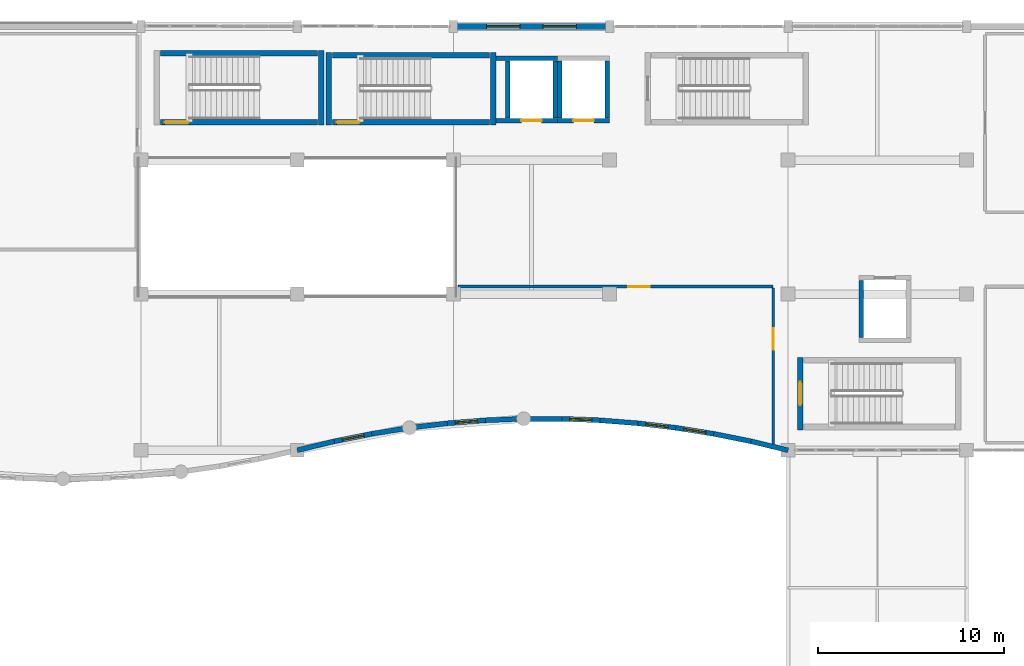
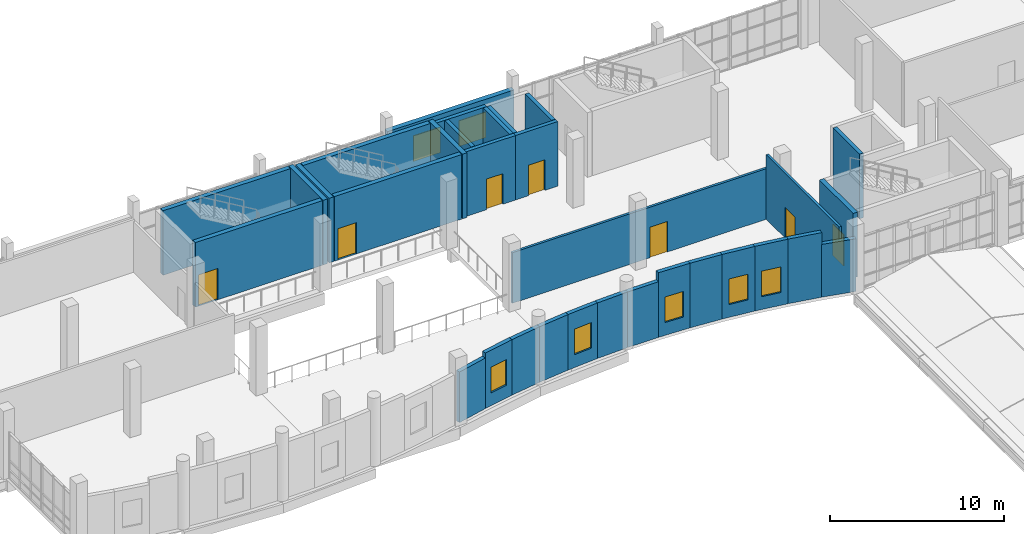
# One storey, part 88 of 106: 32 walls, 7 doors, 7 windows, 14 openings.
"""IFC4 building model written with IfcOpenShell, lengths in metres."""

from ifc_helpers import new_model, si_unit, direction, frame, frame_2d, origin, place, context, subcontext, project, spatial, rectangle, extrude, material, layer, layer_set, type_object, element, fill, save


model = new_model("IFC4")

# Units and contexts
model_context = context("Model", 3, precision=1e-05, world=origin(), true_north=direction((0.0, 1.0)))
body_context = subcontext(model_context, "Body", "Model", "MODEL_VIEW")
ifc_project = project(units=[si_unit("LENGTHUNIT", "METRE"), si_unit("AREAUNIT", "SQUARE_METRE"), si_unit("VOLUMEUNIT", "CUBIC_METRE"), si_unit("PLANEANGLEUNIT", "RADIAN"), si_unit("MASSUNIT", "GRAM", prefix="KILO")], contexts=[model_context])

# Site, building, storey
site_placement = place(None, origin())
site = spatial("IfcSite", under=ifc_project, at=site_placement, CompositionType="ELEMENT")
building_placement = place(site_placement, origin())
building = spatial("IfcBuilding", under=site, at=building_placement, Name="Kisaragi Civic Commons", CompositionType="ELEMENT")
storey_placement = place(building_placement, frame((0.0, 0.0, 4.800048828125)))
storey = spatial("IfcBuildingStorey", under=building, at=storey_placement, Name="L01", CompositionType="ELEMENT", Elevation=4.800048828125)

# Wall, openings, windows
ifc_material_1 = material(Name="Insulated Tokoname terracotta cavity wall", Category="masonry")
ifc_layer_1 = layer(ifc_material_1, 0.320068359375, Name="Insulated Tokoname terracotta cavity wall", Category="masonry")
ifc_layer_set_1 = layer_set([ifc_layer_1], Name="Insulated Tokoname terracotta cavity wall")
wall_type_1 = type_object("IfcWallType", Name="EW-01", PredefinedType="STANDARD", material=ifc_layer_set_1)
wall_1_placement = place(storey_placement, frame((105.60009765625, 118.800048828125, 0.0), z_axis=(0.0, 0.0, 1.0), x_axis=(1.0, 0.0, 0.0)))
wall_1 = element("IfcWall", 1, at=wall_1_placement, inside=storey, type_object=wall_type_1, Name="V4 L01 exterior terracotta wall EW-01 316", PredefinedType="STANDARD", context=body_context, shape_type="SweptSolid", body=[
    extrude(rectangle(XDim=8.39990234375, YDim=0.320068359375, at=frame_2d((4.199951171875, 0.0))), origin(), (0.0, 0.0, 1.0), 3.704833984375),
])
opening_1_placement = place(wall_1_placement, frame((1.7880859375, 0.0, 0.89990234375)))
opening_1 = element("IfcOpeningElement", 2, at=opening_1_placement, cuts=wall_1, Name="Opening W-01", PredefinedType="OPENING", context=body_context, shape_type="SweptSolid", body=[
    extrude(rectangle(XDim=1.800048828125, YDim=1.800048828125, at=frame_2d((0.89990234375, 0.89990234375))), frame((0.0, 0.169921875, 0.0), z_axis=(0.0, -1.0, 0.0), x_axis=(1.0, 0.0, 0.0)), (0.0, 0.0, 1.0), 0.340087890625),
])
opening_2_placement = place(wall_1_placement, frame((4.81201171875, 0.0, 0.89990234375)))
opening_2 = element("IfcOpeningElement", 3, at=opening_2_placement, cuts=wall_1, Name="Opening W-01", PredefinedType="OPENING", context=body_context, shape_type="SweptSolid", body=[
    extrude(rectangle(XDim=1.800048828125, YDim=1.800048828125, at=frame_2d((0.89990234375, 0.89990234375))), frame((0.0, 0.169921875, 0.0), z_axis=(0.0, -1.0, 0.0), x_axis=(1.0, 0.0, 0.0)), (0.0, 0.0, 1.0), 0.340087890625),
])
ifc_material_2 = material(Name="Thermally broken aluminium frame and low-E argon double glazing", Category="aluminium")
window_type_1 = type_object("IfcWindowType", Name="W-01", PartitioningType="SINGLE_PANEL", PredefinedType="WINDOW", material=ifc_material_2)
window_1_placement = place(opening_1_placement, origin())
window_1 = element("IfcWindow", 4, at=window_1_placement, inside=storey, type_object=window_type_1, Name="V4 L01 window W-01 102", OverallHeight=1.800048828125, OverallWidth=1.800048828125, PartitioningType="SINGLE_PANEL", PredefinedType="WINDOW", context=body_context, shape_type="SweptSolid", body=[
    extrude(rectangle(XDim=1.800048828125, YDim=1.800048828125, at=frame_2d((0.89990234375, 0.89990234375))), frame((0.0, 0.030029296875, 0.0), z_axis=(0.0, -1.0, 0.0), x_axis=(1.0, 0.0, 0.0)), (0.0, 0.0, 1.0), 0.06005859375),
])
fill(opening_1, window_1)
window_2_placement = place(opening_2_placement, origin())
window_2 = element("IfcWindow", 5, at=window_2_placement, inside=storey, type_object=window_type_1, Name="V4 L01 window W-01 103", OverallHeight=1.800048828125, OverallWidth=1.800048828125, PartitioningType="SINGLE_PANEL", PredefinedType="WINDOW", context=body_context, shape_type="SweptSolid", body=[
    extrude(rectangle(XDim=1.800048828125, YDim=1.800048828125, at=frame_2d((0.89990234375, 0.89990234375))), frame((0.0, 0.030029296875, 0.0), z_axis=(0.0, -1.0, 0.0), x_axis=(1.0, 0.0, 0.0)), (0.0, 0.0, 1.0), 0.06005859375),
])
fill(opening_2, window_2)

# Walls
ifc_layer_2 = layer(ifc_material_1, 0.26806640625, Name="Insulated Tokoname terracotta cavity wall", Category="masonry")
ifc_layer_set_2 = layer_set([ifc_layer_2], Name="Insulated Tokoname terracotta cavity wall")
wall_type_2 = type_object("IfcWallType", Name="EW-04", PredefinedType="STANDARD", material=ifc_layer_set_2)
wall_2_placement = place(storey_placement, frame((123.60009765625, 96.0, 0.0), z_axis=(0.0, 0.0, 1.0), x_axis=(-0.972062565516, 0.234721896554, 0.0)))
element("IfcWall", 6, at=wall_2_placement, inside=storey, type_object=wall_type_2, Name="V4 L01 exterior terracotta wall EW-04 319", PredefinedType="STANDARD", context=body_context, shape_type="SweptSolid", body=[
    extrude(rectangle(XDim=2.05322265625, YDim=0.26806640625, at=frame_2d((1.026611328125, 0.0))), origin(), (0.0, 0.0, 1.0), 3.704833984375),
])
wall_3_placement = place(storey_placement, frame((121.604248046875, 96.48193359375, 0.0), z_axis=(0.0, 0.0, 1.0), x_axis=(-0.980585249135, 0.196093266532, 0.0)))
element("IfcWall", 7, at=wall_3_placement, inside=storey, type_object=wall_type_2, Name="V4 L01 exterior terracotta wall EW-04 320", PredefinedType="STANDARD", context=body_context, shape_type="SweptSolid", body=[
    extrude(rectangle(XDim=2.052978515625, YDim=0.26806640625, at=frame_2d((1.0263671875, 0.0))), origin(), (0.0, 0.0, 1.0), 4.5400390625),
])

# Wall, opening, window
wall_4_placement = place(storey_placement, frame((119.591064453125, 96.884521484375, 0.0), z_axis=(0.0, 0.0, 1.0), x_axis=(-0.987547997058, 0.157318001217, 0.0)))
wall_4 = element("IfcWall", 8, at=wall_4_placement, inside=storey, type_object=wall_type_2, Name="V4 L01 exterior terracotta wall EW-04 321", PredefinedType="STANDARD", context=body_context, shape_type="SweptSolid", body=[
    extrude(rectangle(XDim=2.05322265625, YDim=0.26806640625, at=frame_2d((1.026611328125, 0.0))), origin(), (0.0, 0.0, 1.0), 4.5400390625),
])
opening_3_placement = place(wall_4_placement, frame((0.426513671875, 0.0, 0.89990234375)))
opening_3 = element("IfcOpeningElement", 9, at=opening_3_placement, cuts=wall_4, Name="Opening W-05", PredefinedType="OPENING", context=body_context, shape_type="SweptSolid", body=[
    extrude(rectangle(XDim=1.199951171875, YDim=1.800048828125, at=frame_2d((0.60009765625, 0.89990234375))), frame((0.0, 0.14404296875, 0.0), z_axis=(0.0, -1.0, 0.0), x_axis=(1.0, 0.0, 0.0)), (0.0, 0.0, 1.0), 0.2880859375),
])
window_type_2 = type_object("IfcWindowType", Name="W-05", PartitioningType="SINGLE_PANEL", PredefinedType="WINDOW", material=ifc_material_2)
window_3_placement = place(opening_3_placement, origin())
window_3 = element("IfcWindow", 10, at=window_3_placement, inside=storey, type_object=window_type_2, Name="V4 L01 window W-05 108", OverallHeight=1.800048828125, OverallWidth=1.199951171875, PartitioningType="SINGLE_PANEL", PredefinedType="WINDOW", context=body_context, shape_type="SweptSolid", body=[
    extrude(rectangle(XDim=1.199951171875, YDim=1.800048828125, at=frame_2d((0.60009765625, 0.89990234375))), frame((0.0, 0.030029296875, 0.0), z_axis=(0.0, -1.0, 0.0), x_axis=(1.0, 0.0, 0.0)), (0.0, 0.0, 1.0), 0.06005859375),
])
fill(opening_3, window_3)

wall_5_placement = place(storey_placement, frame((117.5634765625, 97.20751953125, 0.0), z_axis=(0.0, 0.0, 1.0), x_axis=(-0.992988938913, 0.118207306021, 0.0)))
wall_5 = element("IfcWall", 11, at=wall_5_placement, inside=storey, type_object=wall_type_2, Name="V4 L01 exterior terracotta wall EW-04 322", PredefinedType="STANDARD", context=body_context, shape_type="SweptSolid", body=[
    extrude(rectangle(XDim=2.052978515625, YDim=0.26806640625, at=frame_2d((1.0263671875, 0.0))), origin(), (0.0, 0.0, 1.0), 4.5400390625),
])
opening_4_placement = place(wall_5_placement, frame((0.426513671875, 0.0, 0.89990234375)))
opening_4 = element("IfcOpeningElement", 12, at=opening_4_placement, cuts=wall_5, Name="Opening W-05", PredefinedType="OPENING", context=body_context, shape_type="SweptSolid", body=[
    extrude(rectangle(XDim=1.199951171875, YDim=1.800048828125, at=frame_2d((0.60009765625, 0.89990234375))), frame((0.0, 0.14404296875, 0.0), z_axis=(0.0, -1.0, 0.0), x_axis=(1.0, 0.0, 0.0)), (0.0, 0.0, 1.0), 0.2880859375),
])
window_4_placement = place(opening_4_placement, origin())
window_4 = element("IfcWindow", 13, at=window_4_placement, inside=storey, type_object=window_type_2, Name="V4 L01 window W-05 109", OverallHeight=1.800048828125, OverallWidth=1.199951171875, PartitioningType="SINGLE_PANEL", PredefinedType="WINDOW", context=body_context, shape_type="SweptSolid", body=[
    extrude(rectangle(XDim=1.199951171875, YDim=1.800048828125, at=frame_2d((0.60009765625, 0.89990234375))), frame((0.0, 0.030029296875, 0.0), z_axis=(0.0, -1.0, 0.0), x_axis=(1.0, 0.0, 0.0)), (0.0, 0.0, 1.0), 0.06005859375),
])
fill(opening_4, window_4)

# Wall
wall_6_placement = place(storey_placement, frame((115.52490234375, 97.4501953125, 0.0), z_axis=(0.0, 0.0, 1.0), x_axis=(-0.996887829118, 0.078833090494, 0.0)))
element("IfcWall", 14, at=wall_6_placement, inside=storey, type_object=wall_type_2, Name="V4 L01 exterior terracotta wall EW-04 323", PredefinedType="STANDARD", context=body_context, shape_type="SweptSolid", body=[
    extrude(rectangle(XDim=2.05322265625, YDim=0.26806640625, at=frame_2d((1.026611328125, 0.0))), origin(), (0.0, 0.0, 1.0), 4.5400390625),
])

# Wall, opening, window
wall_7_placement = place(storey_placement, frame((113.47802734375, 97.612060546875, 0.0), z_axis=(0.0, 0.0, 1.0), x_axis=(-0.999220404448, 0.039478897332, 0.0)))
wall_7 = element("IfcWall", 15, at=wall_7_placement, inside=storey, type_object=wall_type_2, Name="V4 L01 exterior terracotta wall EW-04 324", PredefinedType="STANDARD", context=body_context, shape_type="SweptSolid", body=[
    extrude(rectangle(XDim=2.05322265625, YDim=0.26806640625, at=frame_2d((1.026611328125, 0.0))), origin(), (0.0, 0.0, 1.0), 4.5400390625),
])
opening_5_placement = place(wall_7_placement, frame((0.426513671875, 0.0, 0.89990234375)))
opening_5 = element("IfcOpeningElement", 16, at=opening_5_placement, cuts=wall_7, Name="Opening W-05", PredefinedType="OPENING", context=body_context, shape_type="SweptSolid", body=[
    extrude(rectangle(XDim=1.199951171875, YDim=1.800048828125, at=frame_2d((0.60009765625, 0.89990234375))), frame((0.0, 0.14404296875, 0.0), z_axis=(0.0, -1.0, 0.0), x_axis=(1.0, 0.0, 0.0)), (0.0, 0.0, 1.0), 0.2880859375),
])
window_5_placement = place(opening_5_placement, origin())
window_5 = element("IfcWindow", 17, at=window_5_placement, inside=storey, type_object=window_type_2, Name="V4 L01 window W-05 110", OverallHeight=1.800048828125, OverallWidth=1.199951171875, PartitioningType="SINGLE_PANEL", PredefinedType="WINDOW", context=body_context, shape_type="SweptSolid", body=[
    extrude(rectangle(XDim=1.199951171875, YDim=1.800048828125, at=frame_2d((0.60009765625, 0.89990234375))), frame((0.0, 0.030029296875, 0.0), z_axis=(0.0, -1.0, 0.0), x_axis=(1.0, 0.0, 0.0)), (0.0, 0.0, 1.0), 0.06005859375),
])
fill(opening_5, window_5)

# Walls
wall_8_placement = place(storey_placement, frame((111.426513671875, 97.693115234375, 0.0), z_axis=(0.0, 0.0, 1.0), x_axis=(-1.0, 0.0, 0.0)))
element("IfcWall", 18, at=wall_8_placement, inside=storey, type_object=wall_type_2, Name="V4 L01 exterior terracotta wall EW-04 325", PredefinedType="STANDARD", context=body_context, shape_type="SweptSolid", body=[
    extrude(rectangle(XDim=2.05322265625, YDim=0.26806640625, at=frame_2d((1.026611328125, 0.0))), origin(), (0.0, 0.0, 1.0), 3.905029296875),
])
wall_9_placement = place(storey_placement, frame((109.373291015625, 97.693115234375, 0.0), z_axis=(0.0, 0.0, 1.0), x_axis=(-0.99922021908, -0.039483588757, 0.0)))
element("IfcWall", 19, at=wall_9_placement, inside=storey, type_object=wall_type_2, Name="V4 L01 exterior terracotta wall EW-04 326", PredefinedType="STANDARD", context=body_context, shape_type="SweptSolid", body=[
    extrude(rectangle(XDim=2.052978515625, YDim=0.26806640625, at=frame_2d((1.0263671875, 0.0))), origin(), (0.0, 0.0, 1.0), 3.905029296875),
])

# Wall, opening, window
wall_10_placement = place(storey_placement, frame((107.322021484375, 97.612060546875, 0.0), z_axis=(0.0, 0.0, 1.0), x_axis=(-0.996887829118, -0.078833090494, 0.0)))
wall_10 = element("IfcWall", 20, at=wall_10_placement, inside=storey, type_object=wall_type_2, Name="V4 L01 exterior terracotta wall EW-04 327", PredefinedType="STANDARD", context=body_context, shape_type="SweptSolid", body=[
    extrude(rectangle(XDim=2.05322265625, YDim=0.26806640625, at=frame_2d((1.026611328125, 0.0))), origin(), (0.0, 0.0, 1.0), 3.905029296875),
])
opening_6_placement = place(wall_10_placement, frame((0.426513671875, 0.0, 0.89990234375)))
opening_6 = element("IfcOpeningElement", 21, at=opening_6_placement, cuts=wall_10, Name="Opening W-05", PredefinedType="OPENING", context=body_context, shape_type="SweptSolid", body=[
    extrude(rectangle(XDim=1.199951171875, YDim=1.800048828125, at=frame_2d((0.60009765625, 0.89990234375))), frame((0.0, 0.14404296875, 0.0), z_axis=(0.0, -1.0, 0.0), x_axis=(1.0, 0.0, 0.0)), (0.0, 0.0, 1.0), 0.2880859375),
])
window_6_placement = place(opening_6_placement, origin())
window_6 = element("IfcWindow", 22, at=window_6_placement, inside=storey, type_object=window_type_2, Name="V4 L01 window W-05 111", OverallHeight=1.800048828125, OverallWidth=1.199951171875, PartitioningType="SINGLE_PANEL", PredefinedType="WINDOW", context=body_context, shape_type="SweptSolid", body=[
    extrude(rectangle(XDim=1.199951171875, YDim=1.800048828125, at=frame_2d((0.60009765625, 0.89990234375))), frame((0.0, 0.030029296875, 0.0), z_axis=(0.0, -1.0, 0.0), x_axis=(1.0, 0.0, 0.0)), (0.0, 0.0, 1.0), 0.06005859375),
])
fill(opening_6, window_6)

# Walls
wall_11_placement = place(storey_placement, frame((105.275146484375, 97.4501953125, 0.0), z_axis=(0.0, 0.0, 1.0), x_axis=(-0.992988938913, -0.118207306021, 0.0)))
element("IfcWall", 23, at=wall_11_placement, inside=storey, type_object=wall_type_2, Name="V4 L01 exterior terracotta wall EW-04 328", PredefinedType="STANDARD", context=body_context, shape_type="SweptSolid", body=[
    extrude(rectangle(XDim=2.052978515625, YDim=0.26806640625, at=frame_2d((1.0263671875, 0.0))), origin(), (0.0, 0.0, 1.0), 3.905029296875),
])
wall_12_placement = place(storey_placement, frame((103.236572265625, 97.20751953125, 0.0), z_axis=(0.0, 0.0, 1.0), x_axis=(-0.987547997058, -0.157318001217, 0.0)))
element("IfcWall", 24, at=wall_12_placement, inside=storey, type_object=wall_type_2, Name="V4 L01 exterior terracotta wall EW-04 329", PredefinedType="STANDARD", context=body_context, shape_type="SweptSolid", body=[
    extrude(rectangle(XDim=2.05322265625, YDim=0.26806640625, at=frame_2d((1.026611328125, 0.0))), origin(), (0.0, 0.0, 1.0), 3.905029296875),
])

# Wall, opening, window
wall_13_placement = place(storey_placement, frame((101.208984375, 96.884521484375, 0.0), z_axis=(0.0, 0.0, 1.0), x_axis=(-0.980585249135, -0.196093266532, 0.0)))
wall_13 = element("IfcWall", 25, at=wall_13_placement, inside=storey, type_object=wall_type_2, Name="V4 L01 exterior terracotta wall EW-04 330", PredefinedType="STANDARD", context=body_context, shape_type="SweptSolid", body=[
    extrude(rectangle(XDim=2.052978515625, YDim=0.26806640625, at=frame_2d((1.0263671875, 0.0))), origin(), (0.0, 0.0, 1.0), 3.905029296875),
])
opening_7_placement = place(wall_13_placement, frame((0.426513671875, 0.0, 0.89990234375)))
opening_7 = element("IfcOpeningElement", 26, at=opening_7_placement, cuts=wall_13, Name="Opening W-05", PredefinedType="OPENING", context=body_context, shape_type="SweptSolid", body=[
    extrude(rectangle(XDim=1.199951171875, YDim=1.800048828125, at=frame_2d((0.60009765625, 0.89990234375))), frame((0.0, 0.14404296875, 0.0), z_axis=(0.0, -1.0, 0.0), x_axis=(1.0, 0.0, 0.0)), (0.0, 0.0, 1.0), 0.2880859375),
])
window_7_placement = place(opening_7_placement, origin())
window_7 = element("IfcWindow", 27, at=window_7_placement, inside=storey, type_object=window_type_2, Name="V4 L01 window W-05 112", OverallHeight=1.800048828125, OverallWidth=1.199951171875, PartitioningType="SINGLE_PANEL", PredefinedType="WINDOW", context=body_context, shape_type="SweptSolid", body=[
    extrude(rectangle(XDim=1.199951171875, YDim=1.800048828125, at=frame_2d((0.60009765625, 0.89990234375))), frame((0.0, 0.030029296875, 0.0), z_axis=(0.0, -1.0, 0.0), x_axis=(1.0, 0.0, 0.0)), (0.0, 0.0, 1.0), 0.06005859375),
])
fill(opening_7, window_7)

# Wall
wall_14_placement = place(storey_placement, frame((99.19580078125, 96.48193359375, 0.0), z_axis=(0.0, 0.0, 1.0), x_axis=(-0.972062565516, -0.234721896554, 0.0)))
element("IfcWall", 28, at=wall_14_placement, inside=storey, type_object=wall_type_2, Name="V4 L01 exterior terracotta wall EW-04 331", PredefinedType="STANDARD", context=body_context, shape_type="SweptSolid", body=[
    extrude(rectangle(XDim=2.05322265625, YDim=0.26806640625, at=frame_2d((1.026611328125, 0.0))), origin(), (0.0, 0.0, 1.0), 3.554931640625),
])

# Wall, opening, door
ifc_material_3 = material(Name="Slatted Mikawa hinoki acoustic timber partition", Category="wood")
ifc_layer_3 = layer(ifc_material_3, 0.159912109375, Name="Slatted Mikawa hinoki acoustic timber partition", Category="wood")
ifc_layer_set_3 = layer_set([ifc_layer_3], Name="Slatted Mikawa hinoki acoustic timber partition")
wall_type_3 = type_object("IfcWallType", Name="IW-06", PredefinedType="STANDARD", material=ifc_layer_set_3)
wall_15_placement = place(storey_placement, frame((105.844970703125, 104.800048828125, 0.0), z_axis=(0.0, 0.0, 1.0), x_axis=(1.0, 0.0, 0.0)))
wall_15 = element("IfcWall", 29, at=wall_15_placement, inside=storey, type_object=wall_type_3, Name="L01 W1-05 partition IW-06 273", PredefinedType="STANDARD", context=body_context, shape_type="SweptSolid", body=[
    extrude(rectangle(XDim=16.949951171875, YDim=0.159912109375, at=frame_2d((8.47509765625, 0.0))), origin(), (0.0, 0.0, 1.0), 3.554931640625),
])
opening_8_placement = place(wall_15_placement, frame((9.1640625, 0.0, 0.0)))
opening_8 = element("IfcOpeningElement", 30, at=opening_8_placement, cuts=wall_15, Name="Opening ID-04", PredefinedType="OPENING", context=body_context, shape_type="SweptSolid", body=[
    extrude(rectangle(XDim=1.14990234375, YDim=2.14990234375, at=frame_2d((0.574951171875, 1.074951171875))), frame((0.0, 0.08984375, 0.0), z_axis=(0.0, -1.0, 0.0), x_axis=(1.0, 0.0, 0.0)), (0.0, 0.0, 1.0), 0.179931640625),
])
ifc_material_4 = material(Name="Solid-core Japanese ash acoustic flush timber leaf in steel frame", Category="steel")
door_type_1 = type_object("IfcDoorType", Name="ID-04", OperationType="NOTDEFINED", PredefinedType="DOOR", material=ifc_material_4)
door_1_placement = place(opening_8_placement, origin())
door_1 = element("IfcDoor", 31, at=door_1_placement, inside=storey, type_object=door_type_1, Name="Periodicals and Reference Hall door ID-04", OperationType="SINGLE_SWING_RIGHT", OverallHeight=2.14990234375, OverallWidth=1.14990234375, PredefinedType="DOOR", context=body_context, shape_type="SweptSolid", body=[
    extrude(rectangle(XDim=1.14990234375, YDim=2.14990234375, at=frame_2d((0.574951171875, 1.074951171875))), frame((0.0, 0.02490234375, 0.0), z_axis=(0.0, -1.0, 0.0), x_axis=(1.0, 0.0, 0.0)), (0.0, 0.0, 1.0), 0.050048828125),
])
fill(opening_8, door_1)

wall_16_placement = place(storey_placement, frame((122.800048828125, 104.72509765625, 0.0), z_axis=(0.0, 0.0, 1.0), x_axis=(0.0, -1.0, 0.0)))
wall_16 = element("IfcWall", 32, at=wall_16_placement, inside=storey, type_object=wall_type_3, Name="L01 W1-05 partition IW-06 274", PredefinedType="STANDARD", context=body_context, shape_type="SweptSolid", body=[
    extrude(rectangle(XDim=8.389892578125, YDim=0.159912109375, at=frame_2d((4.19482421875, 0.0))), origin(), (0.0, 0.0, 1.0), 4.5400390625),
])
opening_9_placement = place(wall_16_placement, frame((2.171875, 0.0, 0.0)))
opening_9 = element("IfcOpeningElement", 33, at=opening_9_placement, cuts=wall_16, Name="Opening ID-04", PredefinedType="OPENING", context=body_context, shape_type="SweptSolid", body=[
    extrude(rectangle(XDim=1.14990234375, YDim=2.14990234375, at=frame_2d((0.574951171875, 1.074951171875))), frame((0.0, 0.08984375, 0.0), z_axis=(0.0, -1.0, 0.0), x_axis=(1.0, 0.0, 0.0)), (0.0, 0.0, 1.0), 0.179931640625),
])
door_2_placement = place(opening_9_placement, origin())
door_2 = element("IfcDoor", 34, at=door_2_placement, inside=storey, type_object=door_type_1, Name="Periodicals and Reference Hall door ID-04", OperationType="SINGLE_SWING_LEFT", OverallHeight=2.14990234375, OverallWidth=1.14990234375, PredefinedType="DOOR", context=body_context, shape_type="SweptSolid", body=[
    extrude(rectangle(XDim=1.14990234375, YDim=2.14990234375, at=frame_2d((0.574951171875, 1.074951171875))), frame((0.0, 0.02490234375, 0.0), z_axis=(0.0, -1.0, 0.0), x_axis=(1.0, 0.0, 0.0)), (0.0, 0.0, 1.0), 0.050048828125),
])
fill(opening_9, door_2)

# Wall
ifc_material_5 = material(Name="Concrete Fc36", Category="concrete")
ifc_layer_4 = layer(ifc_material_5, 0.300048828125, Name="Concrete Fc36", Category="concrete")
ifc_layer_set_4 = layer_set([ifc_layer_4], Name="Concrete Fc36")
wall_type_4 = type_object("IfcWallType", Name="SW-01", PredefinedType="SHEAR", material=ifc_layer_set_4)
wall_17_placement = place(storey_placement, frame((98.89990234375, 117.39990234375, 0.0), z_axis=(0.0, 0.0, 1.0), x_axis=(0.0, -1.0, 0.0)))
element("IfcWall", 35, at=wall_17_placement, inside=storey, type_object=wall_type_4, Name="ST-L1 L01 entry RC shear wall", PredefinedType="SHEAR", context=body_context, shape_type="SweptSolid", body=[
    extrude(rectangle(XDim=3.89990234375, YDim=0.300048828125, at=frame_2d((1.949951171875, 0.0))), origin(), (0.0, 0.0, 1.0), 4.5400390625),
])

# Wall, opening, door
wall_18_placement = place(storey_placement, frame((99.10009765625, 113.64990234375, 0.0), z_axis=(0.0, 0.0, 1.0), x_axis=(1.0, 0.0, 0.0)))
wall_18 = element("IfcWall", 36, at=wall_18_placement, inside=storey, type_object=wall_type_4, Name="ST-L1 L01 right RC shear wall", PredefinedType="SHEAR", context=body_context, shape_type="SweptSolid", body=[
    extrude(rectangle(XDim=8.449951171875, YDim=0.300048828125, at=frame_2d((4.22509765625, 0.0))), origin(), (0.0, 0.0, 1.0), 4.5400390625),
])
opening_10_placement = place(wall_18_placement, frame((0.219970703125, 0.0, 0.0)))
opening_10 = element("IfcOpeningElement", 37, at=opening_10_placement, cuts=wall_18, Name="Opening SD-01", PredefinedType="OPENING", context=body_context, shape_type="SweptSolid", body=[
    extrude(rectangle(XDim=1.25, YDim=2.199951171875, at=frame_2d((0.625, 1.10009765625))), frame((0.0, 0.159912109375, 0.0), z_axis=(0.0, -1.0, 0.0), x_axis=(1.0, 0.0, 0.0)), (0.0, 0.0, 1.0), 0.320068359375),
])
ifc_material_6 = material(Name="Insulated fire-rated pressed steel door assembly", Category="steel")
door_type_2 = type_object("IfcDoorType", Name="SD-01", OperationType="NOTDEFINED", PredefinedType="DOOR", material=ifc_material_6)
door_3_placement = place(opening_10_placement, origin())
door_3 = element("IfcDoor", 38, at=door_3_placement, inside=storey, type_object=door_type_2, Name="ST-L1 L01 stair fire door 3", OperationType="SINGLE_SWING_LEFT", OverallHeight=2.199951171875, OverallWidth=1.25, PredefinedType="DOOR", context=body_context, shape_type="SweptSolid", body=[
    extrude(rectangle(XDim=1.25, YDim=2.199951171875, at=frame_2d((0.625, 1.10009765625))), frame((0.0, 0.02490234375, 0.0), z_axis=(0.0, -1.0, 0.0), x_axis=(1.0, 0.0, 0.0)), (0.0, 0.0, 1.0), 0.050048828125),
])
fill(opening_10, door_3)

# Walls
wall_19_placement = place(storey_placement, frame((107.75, 113.5, 0.0), z_axis=(0.0, 0.0, 1.0), x_axis=(0.0, 1.0, 0.0)))
element("IfcWall", 39, at=wall_19_placement, inside=storey, type_object=wall_type_4, Name="ST-L1 L01 far RC shear wall", PredefinedType="SHEAR", context=body_context, shape_type="SweptSolid", body=[
    extrude(rectangle(XDim=3.89990234375, YDim=0.300048828125, at=frame_2d((1.949951171875, 0.0))), origin(), (0.0, 0.0, 1.0), 4.5400390625),
])
wall_20_placement = place(storey_placement, frame((107.550048828125, 117.25, 0.0), z_axis=(0.0, 0.0, 1.0), x_axis=(-1.0, 0.0, 0.0)))
element("IfcWall", 40, at=wall_20_placement, inside=storey, type_object=wall_type_4, Name="ST-L1 L01 left RC shear wall", PredefinedType="SHEAR", context=body_context, shape_type="SweptSolid", body=[
    extrude(rectangle(XDim=8.449951171875, YDim=0.300048828125, at=frame_2d((4.22509765625, 0.0))), origin(), (0.0, 0.0, 1.0), 4.5400390625),
])

# Wall, opening, door
wall_21_placement = place(storey_placement, frame((124.25, 101.0, 0.0), z_axis=(0.0, 0.0, 1.0), x_axis=(0.0, -1.0, 0.0)))
wall_21 = element("IfcWall", 41, at=wall_21_placement, inside=storey, type_object=wall_type_4, Name="ST-L3 L01 entry RC shear wall", PredefinedType="SHEAR", context=body_context, shape_type="SweptSolid", body=[
    extrude(rectangle(XDim=3.89990234375, YDim=0.300048828125, at=frame_2d((1.949951171875, 0.0))), origin(), (0.0, 0.0, 1.0), 4.5400390625),
])
opening_11_placement = place(wall_21_placement, frame((1.324951171875, 0.0, 0.0)))
opening_11 = element("IfcOpeningElement", 42, at=opening_11_placement, cuts=wall_21, Name="Opening SD-01", PredefinedType="OPENING", context=body_context, shape_type="SweptSolid", body=[
    extrude(rectangle(XDim=1.25, YDim=2.199951171875, at=frame_2d((0.625, 1.10009765625))), frame((0.0, 0.159912109375, 0.0), z_axis=(0.0, -1.0, 0.0), x_axis=(1.0, 0.0, 0.0)), (0.0, 0.0, 1.0), 0.320068359375),
])
door_4_placement = place(opening_11_placement, origin())
door_4 = element("IfcDoor", 43, at=door_4_placement, inside=storey, type_object=door_type_2, Name="ST-L3 L01 stair fire door 15", OperationType="SINGLE_SWING_LEFT", OverallHeight=2.199951171875, OverallWidth=1.25, PredefinedType="DOOR", context=body_context, shape_type="SweptSolid", body=[
    extrude(rectangle(XDim=1.25, YDim=2.199951171875, at=frame_2d((0.625, 1.10009765625))), frame((0.0, 0.02490234375, 0.0), z_axis=(0.0, -1.0, 0.0), x_axis=(1.0, 0.0, 0.0)), (0.0, 0.0, 1.0), 0.050048828125),
])
fill(opening_11, door_4)

wall_22_placement = place(storey_placement, frame((89.85009765625, 113.64990234375, 0.0), z_axis=(0.0, 0.0, 1.0), x_axis=(1.0, 0.0, 0.0)))
wall_22 = element("IfcWall", 44, at=wall_22_placement, inside=storey, type_object=wall_type_4, Name="ST-L4 L01 right RC shear wall", PredefinedType="SHEAR", context=body_context, shape_type="SweptSolid", body=[
    extrude(rectangle(XDim=8.449951171875, YDim=0.300048828125, at=frame_2d((4.22509765625, 0.0))), origin(), (0.0, 0.0, 1.0), 4.5400390625),
])
opening_12_placement = place(wall_22_placement, frame((0.219970703125, 0.0, 0.0)))
opening_12 = element("IfcOpeningElement", 45, at=opening_12_placement, cuts=wall_22, Name="Opening SD-02", PredefinedType="OPENING", context=body_context, shape_type="SweptSolid", body=[
    extrude(rectangle(XDim=1.300048828125, YDim=2.199951171875, at=frame_2d((0.64990234375, 1.10009765625))), frame((0.0, 0.159912109375, 0.0), z_axis=(0.0, -1.0, 0.0), x_axis=(1.0, 0.0, 0.0)), (0.0, 0.0, 1.0), 0.320068359375),
])
door_type_3 = type_object("IfcDoorType", Name="SD-02", OperationType="NOTDEFINED", PredefinedType="DOOR", material=ifc_material_6)
door_5_placement = place(opening_12_placement, origin())
door_5 = element("IfcDoor", 46, at=door_5_placement, inside=storey, type_object=door_type_3, Name="ST-L4 L01 stair fire door 20", OperationType="SINGLE_SWING_RIGHT", OverallHeight=2.199951171875, OverallWidth=1.300048828125, PredefinedType="DOOR", context=body_context, shape_type="SweptSolid", body=[
    extrude(rectangle(XDim=1.300048828125, YDim=2.199951171875, at=frame_2d((0.64990234375, 1.10009765625))), frame((0.0, 0.02490234375, 0.0), z_axis=(0.0, -1.0, 0.0), x_axis=(1.0, 0.0, 0.0)), (0.0, 0.0, 1.0), 0.050048828125),
])
fill(opening_12, door_5)

# Walls
wall_23_placement = place(storey_placement, frame((98.5, 113.5, 0.0), z_axis=(0.0, 0.0, 1.0), x_axis=(0.0, 1.0, 0.0)))
element("IfcWall", 47, at=wall_23_placement, inside=storey, type_object=wall_type_4, Name="ST-L4 L01 far RC shear wall", PredefinedType="SHEAR", context=body_context, shape_type="SweptSolid", body=[
    extrude(rectangle(XDim=4.0, YDim=0.300048828125, at=frame_2d((2.0, 0.0))), origin(), (0.0, 0.0, 1.0), 4.5400390625),
])
wall_24_placement = place(storey_placement, frame((98.300048828125, 117.35009765625, 0.0), z_axis=(0.0, 0.0, 1.0), x_axis=(-1.0, 0.0, 0.0)))
element("IfcWall", 48, at=wall_24_placement, inside=storey, type_object=wall_type_4, Name="ST-L4 L01 left RC shear wall", PredefinedType="SHEAR", context=body_context, shape_type="SweptSolid", body=[
    extrude(rectangle(XDim=8.449951171875, YDim=0.300048828125, at=frame_2d((4.22509765625, 0.0))), origin(), (0.0, 0.0, 1.0), 4.5400390625),
])

# Wall, opening, door
ifc_layer_5 = layer(ifc_material_5, 0.25, Name="Concrete Fc36", Category="concrete")
ifc_layer_set_5 = layer_set([ifc_layer_5], Name="Concrete Fc36")
wall_type_5 = type_object("IfcWallType", Name="SW-02", PredefinedType="SHEAR", material=ifc_layer_set_5)
wall_25_placement = place(storey_placement, frame((111.199951171875, 113.72509765625, 0.0), z_axis=(0.0, 0.0, 1.0), x_axis=(-1.0, 0.0, 0.0)))
wall_25 = element("IfcWall", 49, at=wall_25_placement, inside=storey, type_object=wall_type_5, Name="EL-L1 L01 south lift shaft wall", PredefinedType="SHEAR", context=body_context, shape_type="SweptSolid", body=[
    extrude(rectangle(XDim=3.300048828125, YDim=0.25, at=frame_2d((1.64990234375, 0.0))), origin(), (0.0, 0.0, 1.0), 4.5400390625),
])
opening_13_placement = place(wall_25_placement, frame((0.85009765625, 0.0, 0.0)))
opening_13 = element("IfcOpeningElement", 50, at=opening_13_placement, cuts=wall_25, Name="Opening LD-01", PredefinedType="OPENING", context=body_context, shape_type="SweptSolid", body=[
    extrude(rectangle(XDim=1.10009765625, YDim=2.14990234375, at=frame_2d((0.550048828125, 1.074951171875))), frame((0.0, 0.135009765625, 0.0), z_axis=(0.0, -1.0, 0.0), x_axis=(1.0, 0.0, 0.0)), (0.0, 0.0, 1.0), 0.27001953125),
])
ifc_material_7 = material(Name="Brushed stainless steel bi-parting landing door", Category="steel")
door_type_4 = type_object("IfcDoorType", Name="LD-01", OperationType="NOTDEFINED", PredefinedType="DOOR", material=ifc_material_7)
door_6_placement = place(opening_13_placement, origin())
door_6 = element("IfcDoor", 51, at=door_6_placement, inside=storey, type_object=door_type_4, Name="EL-L1 L01 sliding lift landing door", OperationType="DOUBLE_DOOR_SLIDING", OverallHeight=2.14990234375, OverallWidth=1.10009765625, PredefinedType="DOOR", context=body_context, shape_type="SweptSolid", body=[
    extrude(rectangle(XDim=1.10009765625, YDim=2.14990234375, at=frame_2d((0.550048828125, 1.074951171875))), frame((0.0, 0.02490234375, 0.0), z_axis=(0.0, -1.0, 0.0), x_axis=(1.0, 0.0, 0.0)), (0.0, 0.0, 1.0), 0.050048828125),
])
fill(opening_13, door_6)

# Walls
wall_26_placement = place(storey_placement, frame((108.52490234375, 113.8701171875, 0.0), z_axis=(0.0, 0.0, 1.0), x_axis=(0.0, 1.0, 0.0)))
element("IfcWall", 52, at=wall_26_placement, inside=storey, type_object=wall_type_5, Name="EL-L1 L01 west lift shaft wall", PredefinedType="SHEAR", context=body_context, shape_type="SweptSolid", body=[
    extrude(rectangle(XDim=3.059814453125, YDim=0.25, at=frame_2d((1.52978515625, 0.0))), origin(), (0.0, 0.0, 1.0), 4.5400390625),
])
wall_27_placement = place(storey_placement, frame((107.89990234375, 117.074951171875, 0.0), z_axis=(0.0, 0.0, 1.0), x_axis=(1.0, 0.0, 0.0)))
element("IfcWall", 53, at=wall_27_placement, inside=storey, type_object=wall_type_5, Name="EL-L1 L01 north lift shaft wall", PredefinedType="SHEAR", context=body_context, shape_type="SweptSolid", body=[
    extrude(rectangle(XDim=3.300048828125, YDim=0.25, at=frame_2d((1.64990234375, 0.0))), origin(), (0.0, 0.0, 1.0), 4.5400390625),
])
wall_28_placement = place(storey_placement, frame((111.074951171875, 116.929931640625, 0.0), z_axis=(0.0, 0.0, 1.0), x_axis=(0.0, -1.0, 0.0)))
element("IfcWall", 54, at=wall_28_placement, inside=storey, type_object=wall_type_5, Name="EL-L1 L01 east lift shaft wall", PredefinedType="SHEAR", context=body_context, shape_type="SweptSolid", body=[
    extrude(rectangle(XDim=3.059814453125, YDim=0.25, at=frame_2d((1.52978515625, 0.0))), origin(), (0.0, 0.0, 1.0), 4.5400390625),
])

# Wall, opening, door
wall_29_placement = place(storey_placement, frame((114.0, 113.72509765625, 0.0), z_axis=(0.0, 0.0, 1.0), x_axis=(-1.0, 0.0, 0.0)))
wall_29 = element("IfcWall", 55, at=wall_29_placement, inside=storey, type_object=wall_type_5, Name="EL-L2 L01 south lift shaft wall", PredefinedType="SHEAR", context=body_context, shape_type="SweptSolid", body=[
    extrude(rectangle(XDim=2.800048828125, YDim=0.25, at=frame_2d((1.39990234375, 0.0))), origin(), (0.0, 0.0, 1.0), 4.5400390625),
])
opening_14_placement = place(wall_29_placement, frame((0.85009765625, 0.0, 0.0)))
opening_14 = element("IfcOpeningElement", 56, at=opening_14_placement, cuts=wall_29, Name="Opening LD-01", PredefinedType="OPENING", context=body_context, shape_type="SweptSolid", body=[
    extrude(rectangle(XDim=1.10009765625, YDim=2.14990234375, at=frame_2d((0.550048828125, 1.074951171875))), frame((0.0, 0.135009765625, 0.0), z_axis=(0.0, -1.0, 0.0), x_axis=(1.0, 0.0, 0.0)), (0.0, 0.0, 1.0), 0.27001953125),
])
door_7_placement = place(opening_14_placement, origin())
door_7 = element("IfcDoor", 57, at=door_7_placement, inside=storey, type_object=door_type_4, Name="EL-L2 L01 sliding lift landing door", OperationType="DOUBLE_DOOR_SLIDING", OverallHeight=2.14990234375, OverallWidth=1.10009765625, PredefinedType="DOOR", context=body_context, shape_type="SweptSolid", body=[
    extrude(rectangle(XDim=1.10009765625, YDim=2.14990234375, at=frame_2d((0.550048828125, 1.074951171875))), frame((0.0, 0.02490234375, 0.0), z_axis=(0.0, -1.0, 0.0), x_axis=(1.0, 0.0, 0.0)), (0.0, 0.0, 1.0), 0.050048828125),
])
fill(opening_14, door_7)

# Walls
for number, where, z_axis, x_axis, name in (
    (58, (111.324951171875, 113.8701171875, 0.0), (0.0, 0.0, 1.0), (0.0, 1.0, 0.0), "EL-L2 L01 west lift shaft wall"),
    (59, (113.875, 116.929931640625, 0.0), (0.0, 0.0, 1.0), (0.0, -1.0, 0.0), "EL-L2 L01 east lift shaft wall"),
    (60, (127.52490234375, 102.070068359375, 0.0), (0.0, 0.0, 1.0), (0.0, 1.0, 0.0), "EL-L3 L01 west lift shaft wall"),
):
    element("IfcWall", number, at=place(storey_placement, frame(where, z_axis=z_axis, x_axis=x_axis)), inside=storey, type_object=wall_type_5, Name=name, PredefinedType="SHEAR", context=body_context, shape_type="SweptSolid", body=[
        extrude(rectangle(XDim=3.059814453125, YDim=0.25, at=frame_2d((1.52978515625, 0.0))), origin(), (0.0, 0.0, 1.0), 4.5400390625),
    ])

save(model, "model.ifc")
